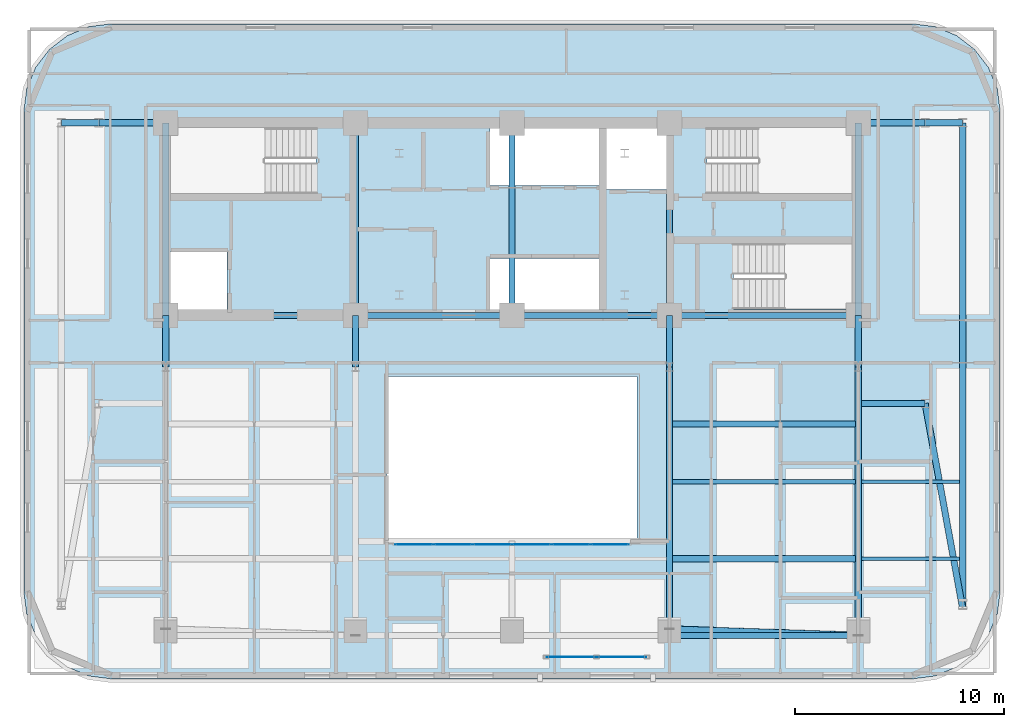
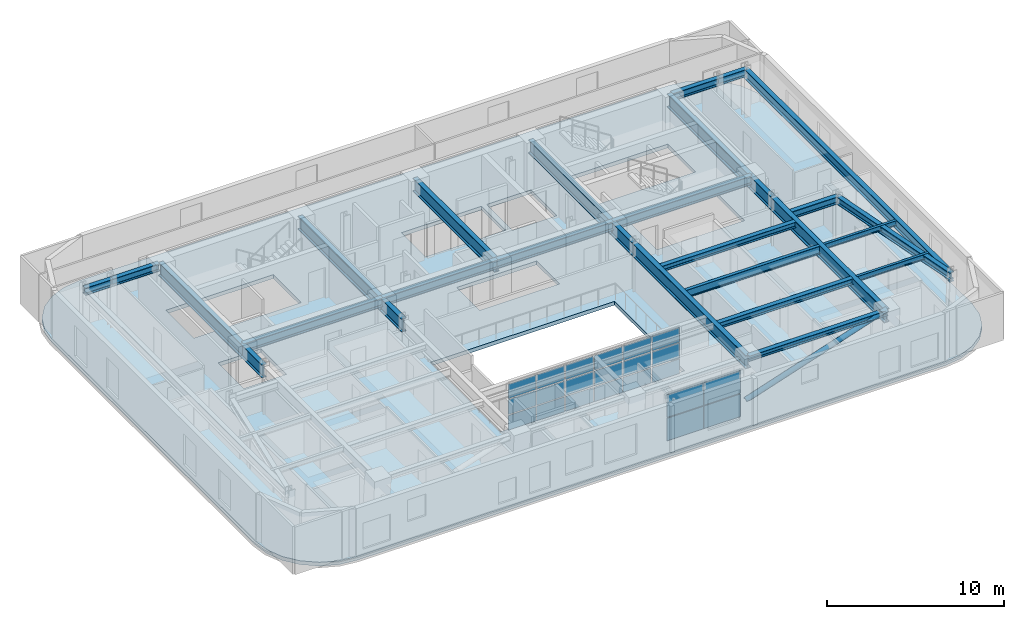
# One storey, part 3 of 13: 28 beams, 22 plates, 1 member, 1 slab, 2 elements without a shape of their own.
"""IFC4 building model written with IfcOpenShell, lengths in metres."""

from ifc_helpers import new_model, si_unit, direction, frame, origin, origin_2d, place, context, subcontext, project, spatial, polyline, rectangle, hollow_circle, i_section, outline, extrude, material, layer, layer_set, material_profile, profile_set, type_object, element, aggregate, save


model = new_model("IFC4")

# Units and contexts
model_context = context("Model", 3, precision=1e-05, world=origin(), true_north=direction((0.0, 1.0)))
body_context = subcontext(model_context, "Body", "Model", "MODEL_VIEW")
ifc_project = project(units=[si_unit("LENGTHUNIT", "METRE"), si_unit("AREAUNIT", "SQUARE_METRE"), si_unit("VOLUMEUNIT", "CUBIC_METRE"), si_unit("PLANEANGLEUNIT", "RADIAN"), si_unit("MASSUNIT", "GRAM", prefix="KILO")], contexts=[model_context])

# Site, building, storey
site_placement = place(None, origin())
site = spatial("IfcSite", under=ifc_project, at=site_placement, CompositionType="ELEMENT")
building_placement = place(site_placement, origin())
building = spatial("IfcBuilding", under=site, at=building_placement, Name="Zarnavel Station Tower", CompositionType="ELEMENT")
storey_placement = place(building_placement, frame((0.0, 0.0, 148.35009765625)))
storey = spatial("IfcBuildingStorey", under=building, at=storey_placement, Name="L40", CompositionType="ELEMENT", Elevation=148.35009765625)

# Member
ifc_material_1 = material(Name="Steel S355J2", Category="steel")
ifc_material_profile_1 = material_profile(ifc_material_1, hollow_circle(Radius=0.161865234375, WallThickness=0.012451171875, at=origin_2d()), Name="CHS323.9x12.5")
ifc_profile_set_1 = profile_set([ifc_material_profile_1], Name="Steel S355J2")
member_type = type_object("IfcMemberType", Name="DB_EXT_CHS324", PredefinedType="BRACE", material=ifc_profile_set_1)
member_placement = place(storey_placement, frame((36.35009765625, 12.784423828125, 0.0), z_axis=(0.93937818641, -0.030942612647, 0.341483788224), x_axis=(0.032921607344, 0.999457936969, 0.0)))
element("IfcMember", 1, at=member_placement, inside=storey, type_object=member_type, Name="L40 Persian Exterior Diagonal Frame Brace 2", PredefinedType="BRACE", context=body_context, shape_type="SweptSolid", body=[
    extrude(hollow_circle(Radius=0.161865234375, WallThickness=0.012451171875, at=origin_2d()), origin(), (0.0, 0.0, 1.0), 9.6337890625),
])

# Beams
ifc_material_2 = material(Name="Steel S355J2", Category="steel")
ifc_material_profile_2 = material_profile(ifc_material_2, i_section(OverallWidth=0.300048828125, OverallDepth=0.360107421875, WebThickness=0.012451171875, FlangeThickness=0.0224609375, FilletRadius=0.027099609375, at=origin_2d()), Name="HEB360")
ifc_profile_set_2 = profile_set([ifc_material_profile_2], Name="Steel S355J2")
beam_type_1 = type_object("IfcBeamType", Name="EB_HEB360", PredefinedType="SPANDREL", material=ifc_profile_set_2)
beam_1_placement = place(storey_placement, frame((36.35009765625, 12.486328125, 3.10986328125), z_axis=(1.0, 0.0, 0.0), x_axis=(0.0, 1.0, 0.0)))
element("IfcBeam", 2, at=beam_1_placement, inside=storey, type_object=beam_type_1, Name="L40 South Raked Spandrel 4", PredefinedType="SPANDREL", context=body_context, shape_type="SweptSolid", body=[
    extrude(i_section(OverallWidth=0.300048828125, OverallDepth=0.360107421875, WebThickness=0.012451171875, FlangeThickness=0.0224609375, FilletRadius=0.027099609375, at=origin_2d()), origin(), (0.0, 0.0, 1.0), 9.0498046875),
])
ifc_material_3 = material(Name="Steel S355J2", Category="steel")
ifc_material_profile_3 = material_profile(ifc_material_3, i_section(OverallWidth=0.300048828125, OverallDepth=0.389892578125, WebThickness=0.010986328125, FlangeThickness=0.01904296875, FilletRadius=0.027099609375, at=origin_2d()), Name="HEA400")
ifc_profile_set_3 = profile_set([ifc_material_profile_3], Name="Steel S355J2")
beam_type_2 = type_object("IfcBeamType", Name="FB_HEA400", PredefinedType="BEAM", material=ifc_profile_set_3)
for number, where, z_axis, x_axis, name in (
    (3, (36.4951171875, 16.164794921875, 3.094970703125), (1.0, 0.0, 0.0), (0.0, 1.0, 0.0), "L40 East Bay Beam 1"),
    (4, (36.4951171875, 22.62158203125, 3.094970703125), (1.0, 0.0, 0.0), (0.0, 1.0, 0.0), "L40 East Bay Beam 3"),
):
    element("IfcBeam", number, at=place(storey_placement, frame(where, z_axis=z_axis, x_axis=x_axis)), inside=storey, type_object=beam_type_2, Name=name, PredefinedType="BEAM", context=body_context, shape_type="SweptSolid", body=[
        extrude(i_section(OverallWidth=0.300048828125, OverallDepth=0.389892578125, WebThickness=0.010986328125, FlangeThickness=0.01904296875, FilletRadius=0.027099609375, at=origin_2d()), origin(), (0.0, 0.0, 1.0), 8.759765625),
    ])
ifc_material_4 = material(Name="Steel S355J2", Category="steel")
ifc_material_profile_4 = material_profile(ifc_material_4, i_section(OverallWidth=0.2099609375, OverallDepth=0.550048828125, WebThickness=0.010986328125, FlangeThickness=0.01708984375, FilletRadius=0.02392578125, at=origin_2d()), Name="IPE550")
ifc_profile_set_4 = profile_set([ifc_material_profile_4], Name="Steel S355J2")
beam_type_3 = type_object("IfcBeamType", Name="FB_IPE550", PredefinedType="BEAM", material=ifc_profile_set_4)
beam_2_placement = place(storey_placement, frame((36.4951171875, 19.84326171875, 3.014892578125), z_axis=(1.0, 0.0, 0.0), x_axis=(0.0, 1.0, 0.0)))
element("IfcBeam", 5, at=beam_2_placement, inside=storey, type_object=beam_type_3, Name="L40 East Bay Beam 2", PredefinedType="BEAM", context=body_context, shape_type="SweptSolid", body=[
    extrude(i_section(OverallWidth=0.2099609375, OverallDepth=0.550048828125, WebThickness=0.010986328125, FlangeThickness=0.01708984375, FilletRadius=0.02392578125, at=origin_2d()), origin(), (0.0, 0.0, 1.0), 8.759765625),
])
ifc_material_5 = material(Name="Steel S355J2", Category="steel")
ifc_material_profile_5 = material_profile(ifc_material_5, i_section(OverallWidth=0.300048828125, OverallDepth=0.5, WebThickness=0.014404296875, FlangeThickness=0.028076171875, FilletRadius=0.027099609375, at=origin_2d()), Name="HEB500")
ifc_profile_set_5 = profile_set([ifc_material_profile_5], Name="Steel S355J2")
beam_type_4 = type_object("IfcBeamType", Name="FG_HEB500", PredefinedType="USERDEFINED", material=ifc_profile_set_5)
beam_3_placement = place(storey_placement, frame((7.199951171875, 37.050048828125, 3.039794921875), z_axis=(1.0, 0.0, 0.0), x_axis=(0.0, 1.0, 0.0)))
element("IfcBeam", 6, at=beam_3_placement, inside=storey, type_object=beam_type_4, Name="L40 West Wing North Tie 1", ObjectType="GIRDER", PredefinedType="USERDEFINED", context=body_context, shape_type="SweptSolid", body=[
    extrude(i_section(OverallWidth=0.300048828125, OverallDepth=0.5, WebThickness=0.014404296875, FlangeThickness=0.028076171875, FilletRadius=0.027099609375, at=origin_2d()), origin(), (0.0, 0.0, 1.0), 1.800048828125),
])
beam_4_placement = place(storey_placement, frame((9.0, 37.050048828125, 3.039794921875), z_axis=(1.0, 0.0, 0.0), x_axis=(0.0, 1.0, 0.0)))
element("IfcBeam", 7, at=beam_4_placement, inside=storey, type_object=beam_type_4, Name="L40 West Wing North Tie 2", ObjectType="GIRDER", PredefinedType="USERDEFINED", context=body_context, shape_type="SweptSolid", body=[
    extrude(i_section(OverallWidth=0.300048828125, OverallDepth=0.5, WebThickness=0.014404296875, FlangeThickness=0.028076171875, FilletRadius=0.027099609375, at=origin_2d()), origin(), (0.0, 0.0, 1.0), 3.054931640625),
])
for number, where, z_axis, x_axis, name in (
    (8, (45.544921875, 23.60009765625, 3.039794921875), (1.0, 0.0, 0.0), (0.0, 1.0, 0.0), "L40 East Wing South Tie 1"),
    (9, (45.544921875, 37.050048828125, 3.039794921875), (1.0, 0.0, 0.0), (0.0, 1.0, 0.0), "L40 East Wing North Tie 1"),
):
    element("IfcBeam", number, at=place(storey_placement, frame(where, z_axis=z_axis, x_axis=x_axis)), inside=storey, type_object=beam_type_4, Name=name, ObjectType="GIRDER", PredefinedType="USERDEFINED", context=body_context, shape_type="SweptSolid", body=[
        extrude(i_section(OverallWidth=0.300048828125, OverallDepth=0.5, WebThickness=0.014404296875, FlangeThickness=0.028076171875, FilletRadius=0.027099609375, at=origin_2d()), origin(), (0.0, 0.0, 1.0), 3.05517578125),
    ])
beam_5_placement = place(storey_placement, frame((48.60009765625, 23.60009765625, 3.039794921875), z_axis=(0.18010646721, -0.983647121924, 0.0), x_axis=(0.983647121924, 0.18010646721, 0.0)))
element("IfcBeam", 10, at=beam_5_placement, inside=storey, type_object=beam_type_4, Name="L40 East Wing South Tie 2", ObjectType="GIRDER", PredefinedType="USERDEFINED", context=body_context, shape_type="SweptSolid", body=[
    extrude(i_section(OverallWidth=0.300048828125, OverallDepth=0.5, WebThickness=0.014404296875, FlangeThickness=0.028076171875, FilletRadius=0.027099609375, at=origin_2d()), origin(), (0.0, 0.0, 1.0), 9.992919921875),
])
beam_6_placement = place(storey_placement, frame((48.60009765625, 37.050048828125, 3.039794921875), z_axis=(1.0, 0.0, 0.0), x_axis=(0.0, 1.0, 0.0)))
element("IfcBeam", 11, at=beam_6_placement, inside=storey, type_object=beam_type_4, Name="L40 East Wing North Tie 2", ObjectType="GIRDER", PredefinedType="USERDEFINED", context=body_context, shape_type="SweptSolid", body=[
    extrude(i_section(OverallWidth=0.300048828125, OverallDepth=0.5, WebThickness=0.014404296875, FlangeThickness=0.028076171875, FilletRadius=0.027099609375, at=origin_2d()), origin(), (0.0, 0.0, 1.0), 1.7998046875),
])
ifc_material_6 = material(Name="Steel S355J2", Category="steel")
ifc_material_profile_6 = material_profile(ifc_material_6, i_section(OverallWidth=0.300048828125, OverallDepth=0.60009765625, WebThickness=0.015380859375, FlangeThickness=0.030029296875, FilletRadius=0.027099609375, at=origin_2d()), Name="HEB600")
ifc_profile_set_6 = profile_set([ifc_material_profile_6], Name="Steel S355J2")
beam_type_5 = type_object("IfcBeamType", Name="FG_HEB600", PredefinedType="USERDEFINED", material=ifc_profile_set_6)
beam_7_placement = place(storey_placement, frame((12.199951171875, 27.820068359375, 2.989990234375), z_axis=(1.0, 0.0, 0.0), x_axis=(0.0, 1.0, 0.0)))
element("IfcBeam", 12, at=beam_7_placement, inside=storey, type_object=beam_type_5, Name="L40 Core Front Coupling Beam 1", ObjectType="GIRDER", PredefinedType="USERDEFINED", context=body_context, shape_type="SweptSolid", body=[
    extrude(i_section(OverallWidth=0.300048828125, OverallDepth=0.60009765625, WebThickness=0.015380859375, FlangeThickness=0.030029296875, FilletRadius=0.027099609375, at=origin_2d()), origin(), (0.0, 0.0, 1.0), 9.10009765625),
])
beam_8_placement = place(storey_placement, frame((21.300048828125, 27.820068359375, 2.989990234375), z_axis=(1.0, 0.0, 0.0), x_axis=(0.0, 1.0, 0.0)))
element("IfcBeam", 13, at=beam_8_placement, inside=storey, type_object=beam_type_5, Name="L40 Core Front Coupling Beam 2", ObjectType="GIRDER", PredefinedType="USERDEFINED", context=body_context, shape_type="SweptSolid", body=[
    extrude(i_section(OverallWidth=0.300048828125, OverallDepth=0.60009765625, WebThickness=0.015380859375, FlangeThickness=0.030029296875, FilletRadius=0.027099609375, at=origin_2d()), origin(), (0.0, 0.0, 1.0), 7.5),
])
beam_9_placement = place(storey_placement, frame((28.800048828125, 27.820068359375, 2.989990234375), z_axis=(1.0, 0.0, 0.0), x_axis=(0.0, 1.0, 0.0)))
element("IfcBeam", 14, at=beam_9_placement, inside=storey, type_object=beam_type_5, Name="L40 Core Front Coupling Beam 3", ObjectType="GIRDER", PredefinedType="USERDEFINED", context=body_context, shape_type="SweptSolid", body=[
    extrude(i_section(OverallWidth=0.300048828125, OverallDepth=0.60009765625, WebThickness=0.015380859375, FlangeThickness=0.030029296875, FilletRadius=0.027099609375, at=origin_2d()), origin(), (0.0, 0.0, 1.0), 7.550048828125),
])
beam_10_placement = place(storey_placement, frame((36.35009765625, 27.820068359375, 2.989990234375), z_axis=(1.0, 0.0, 0.0), x_axis=(0.0, 1.0, 0.0)))
element("IfcBeam", 15, at=beam_10_placement, inside=storey, type_object=beam_type_5, Name="L40 Core Front Coupling Beam 4", ObjectType="GIRDER", PredefinedType="USERDEFINED", context=body_context, shape_type="SweptSolid", body=[
    extrude(i_section(OverallWidth=0.300048828125, OverallDepth=0.60009765625, WebThickness=0.015380859375, FlangeThickness=0.030029296875, FilletRadius=0.027099609375, at=origin_2d()), origin(), (0.0, 0.0, 1.0), 9.0498046875),
])
ifc_material_7 = material(Name="Steel S355J2", Category="steel")
ifc_material_profile_7 = material_profile(ifc_material_7, i_section(OverallWidth=0.300048828125, OverallDepth=0.64990234375, WebThickness=0.01611328125, FlangeThickness=0.031005859375, FilletRadius=0.027099609375, at=origin_2d()), Name="HEB650")
ifc_profile_set_7 = profile_set([ifc_material_profile_7], Name="Steel S355J2")
beam_type_6 = type_object("IfcBeamType", Name="FG_HEB650", PredefinedType="USERDEFINED", material=ifc_profile_set_7)
beam_11_placement = place(storey_placement, frame((50.39990234375, 13.7705078125, 2.96484375), z_axis=(0.0, 1.0, 0.0), x_axis=(-1.0, 0.0, 0.0)))
element("IfcBeam", 16, at=beam_11_placement, inside=storey, type_object=beam_type_6, Name="L40 Wing NS Girder 2", ObjectType="GIRDER", PredefinedType="USERDEFINED", context=body_context, shape_type="SweptSolid", body=[
    extrude(i_section(OverallWidth=0.300048828125, OverallDepth=0.64990234375, WebThickness=0.01611328125, FlangeThickness=0.031005859375, FilletRadius=0.027099609375, at=origin_2d()), origin(), (0.0, 0.0, 1.0), 23.279541015625),
])
ifc_material_8 = material(Name="Steel S355J2", Category="steel")
ifc_material_profile_8 = material_profile(ifc_material_8, i_section(OverallWidth=0.169921875, OverallDepth=0.360107421875, WebThickness=0.008056640625, FlangeThickness=0.0126953125, FilletRadius=0.01806640625, at=origin_2d()), Name="IPE360")
ifc_profile_set_8 = profile_set([ifc_material_profile_8], Name="Steel S355J2")
beam_type_7 = type_object("IfcBeamType", Name="FJ_IPE360", PredefinedType="JOIST", material=ifc_profile_set_8)
for number, where, z_axis, x_axis, name in (
    (17, (45.544921875, 16.164794921875, 3.10986328125), (1.0, 0.0, 0.0), (0.0, 1.0, 0.0), "L40 East Wing Joist 1"),
    (18, (45.544921875, 19.84326171875, 3.10986328125), (1.0, 0.0, 0.0), (0.0, 1.0, 0.0), "L40 East Wing Joist 2"),
):
    element("IfcBeam", number, at=place(storey_placement, frame(where, z_axis=z_axis, x_axis=x_axis)), inside=storey, type_object=beam_type_7, Name=name, PredefinedType="JOIST", context=body_context, shape_type="SweptSolid", body=[
        extrude(i_section(OverallWidth=0.169921875, OverallDepth=0.360107421875, WebThickness=0.008056640625, FlangeThickness=0.0126953125, FilletRadius=0.01806640625, at=origin_2d()), origin(), (0.0, 0.0, 1.0), 4.7099609375),
    ])
ifc_material_9 = material(Name="Steel S460M", Category="steel")
ifc_material_profile_9 = material_profile(ifc_material_9, i_section(OverallWidth=0.302001953125, OverallDepth=0.909912109375, WebThickness=0.02099609375, FlangeThickness=0.0400390625, FilletRadius=0.030029296875, at=origin_2d()), Name="HEM900")
ifc_profile_set_9 = profile_set([ifc_material_profile_9], Name="Steel S460M")
beam_type_8 = type_object("IfcBeamType", Name="TG_HEM900", PredefinedType="USERDEFINED", material=ifc_profile_set_9)
for number, where, z_axis, x_axis, name in (
    (19, (12.199951171875, 27.820068359375, 2.8349609375), (0.0, 1.0, 0.0), (-1.0, 0.0, 0.0), "L40 Core Spine Coupling Girder 1"),
    (20, (21.300048828125, 27.820068359375, 2.8349609375), (0.0, 1.0, 0.0), (-1.0, 0.0, 0.0), "L40 Core Spine Coupling Girder 2"),
    (21, (28.800048828125, 27.820068359375, 2.8349609375), (0.0, 1.0, 0.0), (-1.0, 0.0, 0.0), "L40 Core Spine Coupling Girder 3"),
    (22, (36.35009765625, 27.820068359375, 2.8349609375), (0.0, 1.0, 0.0), (-1.0, 0.0, 0.0), "L40 Core Spine Coupling Girder 4"),
    (23, (45.39990234375, 27.820068359375, 2.8349609375), (0.0, 1.0, 0.0), (-1.0, 0.0, 0.0), "L40 Core Spine Coupling Girder 5"),
):
    element("IfcBeam", number, at=place(storey_placement, frame(where, z_axis=z_axis, x_axis=x_axis)), inside=storey, type_object=beam_type_8, Name=name, ObjectType="GIRDER", PredefinedType="USERDEFINED", context=body_context, shape_type="SweptSolid", body=[
        extrude(i_section(OverallWidth=0.302001953125, OverallDepth=0.909912109375, WebThickness=0.02099609375, FlangeThickness=0.0400390625, FilletRadius=0.030029296875, at=origin_2d()), origin(), (0.0, 0.0, 1.0), 9.22998046875),
    ])
for number, where, z_axis, x_axis, name in (
    (24, (12.199951171875, 25.35009765625, 2.8349609375), (0.0, 1.0, 0.0), (-1.0, 0.0, 0.0), "L40 Inner-Zone NS Girder 1"),
    (25, (21.300048828125, 25.35009765625, 2.8349609375), (0.0, 1.0, 0.0), (-1.0, 0.0, 0.0), "L40 Inner-Zone NS Girder 2"),
):
    element("IfcBeam", number, at=place(storey_placement, frame(where, z_axis=z_axis, x_axis=x_axis)), inside=storey, type_object=beam_type_8, Name=name, ObjectType="GIRDER", PredefinedType="USERDEFINED", context=body_context, shape_type="SweptSolid", body=[
        extrude(i_section(OverallWidth=0.302001953125, OverallDepth=0.909912109375, WebThickness=0.02099609375, FlangeThickness=0.0400390625, FilletRadius=0.030029296875, at=origin_2d()), origin(), (0.0, 0.0, 1.0), 2.469970703125),
    ])
beam_12_placement = place(storey_placement, frame((36.35009765625, 12.486328125, 2.8349609375), z_axis=(0.0, 1.0, 0.0), x_axis=(-1.0, 0.0, 0.0)))
element("IfcBeam", 26, at=beam_12_placement, inside=storey, type_object=beam_type_8, Name="L40 South-Zone NS Girder 4", ObjectType="GIRDER", PredefinedType="USERDEFINED", context=body_context, shape_type="SweptSolid", body=[
    extrude(i_section(OverallWidth=0.302001953125, OverallDepth=0.909912109375, WebThickness=0.02099609375, FlangeThickness=0.0400390625, FilletRadius=0.030029296875, at=origin_2d()), origin(), (0.0, 0.0, 1.0), 12.86376953125),
])
beam_13_placement = place(storey_placement, frame((36.35009765625, 25.35009765625, 2.8349609375), z_axis=(0.0, 1.0, 0.0), x_axis=(-1.0, 0.0, 0.0)))
element("IfcBeam", 27, at=beam_13_placement, inside=storey, type_object=beam_type_8, Name="L40 Inner-Zone NS Girder 4", ObjectType="GIRDER", PredefinedType="USERDEFINED", context=body_context, shape_type="SweptSolid", body=[
    extrude(i_section(OverallWidth=0.302001953125, OverallDepth=0.909912109375, WebThickness=0.02099609375, FlangeThickness=0.0400390625, FilletRadius=0.030029296875, at=origin_2d()), origin(), (0.0, 0.0, 1.0), 2.469970703125),
])
beam_14_placement = place(storey_placement, frame((45.39990234375, 12.486328125, 2.8349609375), z_axis=(0.0, 1.0, 0.0), x_axis=(-1.0, 0.0, 0.0)))
element("IfcBeam", 28, at=beam_14_placement, inside=storey, type_object=beam_type_8, Name="L40 South-Zone NS Girder 5", ObjectType="GIRDER", PredefinedType="USERDEFINED", context=body_context, shape_type="SweptSolid", body=[
    extrude(i_section(OverallWidth=0.302001953125, OverallDepth=0.909912109375, WebThickness=0.02099609375, FlangeThickness=0.0400390625, FilletRadius=0.030029296875, at=origin_2d()), origin(), (0.0, 0.0, 1.0), 12.86376953125),
])
beam_15_placement = place(storey_placement, frame((45.39990234375, 25.35009765625, 2.8349609375), z_axis=(0.0, 1.0, 0.0), x_axis=(-1.0, 0.0, 0.0)))
element("IfcBeam", 29, at=beam_15_placement, inside=storey, type_object=beam_type_8, Name="L40 Inner-Zone NS Girder 5", ObjectType="GIRDER", PredefinedType="USERDEFINED", context=body_context, shape_type="SweptSolid", body=[
    extrude(i_section(OverallWidth=0.302001953125, OverallDepth=0.909912109375, WebThickness=0.02099609375, FlangeThickness=0.0400390625, FilletRadius=0.030029296875, at=origin_2d()), origin(), (0.0, 0.0, 1.0), 2.469970703125),
])

# Curtain wall, plates
ifc_material_10 = material(Name="Aluminium Dark Anodised and Solar-Control Glass", Category="aluminium")
ifc_layer_1 = layer(ifc_material_10, 0.179931640625)
ifc_layer_set_1 = layer_set([ifc_layer_1], Name="CWS4")
curtain_wall_type_1 = type_object("IfcCurtainWallType", Name="CWS4", PredefinedType="NOTDEFINED", material=ifc_layer_set_1)
curtain_wall_1_placement = place(storey_placement, origin())
curtain_wall_1 = element("IfcCurtainWall", 30, at=curtain_wall_1_placement, inside=storey, type_object=curtain_wall_type_1, Name="L40 Curtain Wall CWS4-L40-AS", PredefinedType="NOTDEFINED")
ifc_material_11 = material(Name="Double Low-E Dark Solar-Control Glass", Category="glass")
ifc_layer_2 = layer(ifc_material_11, 0.031982421875)
ifc_layer_set_2 = layer_set([ifc_layer_2], Name="CWS4_PNL")
plate_type_1 = type_object("IfcPlateType", Name="CWS4_PNL", PredefinedType="CURTAIN_PANEL", material=ifc_layer_set_2)
plate_1_placement = place(storey_placement, frame((24.106689453125, 16.85009765625, 0.06005859375), z_axis=(0.0, 0.0, 1.0), x_axis=(1.0, 0.0, 0.0)))
plate_1 = element("IfcPlate", 31, at=plate_1_placement, type_object=plate_type_1, Name="CW4 panel 1.1", PredefinedType="CURTAIN_PANEL", context=body_context, shape_type="SweptSolid", body=[
    extrude(rectangle(XDim=1.793212890625, YDim=0.028076171875, at=origin_2d()), origin(), (0.0, 0.0, 1.0), 1.006591796875),
])
plate_2_placement = place(storey_placement, frame((24.106689453125, 16.85009765625, 1.126708984375), z_axis=(0.0, 0.0, 1.0), x_axis=(1.0, 0.0, 0.0)))
plate_2 = element("IfcPlate", 32, at=plate_2_placement, type_object=plate_type_1, Name="CW4 panel 1.2", PredefinedType="CURTAIN_PANEL", context=body_context, shape_type="SweptSolid", body=[
    extrude(rectangle(XDim=1.793212890625, YDim=0.028076171875, at=origin_2d()), origin(), (0.0, 0.0, 1.0), 1.03662109375),
])
plate_3_placement = place(storey_placement, frame((24.106689453125, 16.85009765625, 2.22314453125), z_axis=(0.0, 0.0, 1.0), x_axis=(1.0, 0.0, 0.0)))
plate_3 = element("IfcPlate", 33, at=plate_3_placement, type_object=plate_type_1, Name="CW4 panel 1.3", PredefinedType="CURTAIN_PANEL", context=body_context, shape_type="SweptSolid", body=[
    extrude(rectangle(XDim=1.793212890625, YDim=0.028076171875, at=origin_2d()), origin(), (0.0, 0.0, 1.0), 1.006591796875),
])
plate_4_placement = place(storey_placement, frame((25.97509765625, 16.85009765625, 0.06005859375), z_axis=(0.0, 0.0, 1.0), x_axis=(1.0, 0.0, 0.0)))
plate_4 = element("IfcPlate", 34, at=plate_4_placement, type_object=plate_type_1, Name="CW4 panel 2.1", PredefinedType="CURTAIN_PANEL", context=body_context, shape_type="SweptSolid", body=[
    extrude(rectangle(XDim=1.8232421875, YDim=0.028076171875, at=origin_2d()), origin(), (0.0, 0.0, 1.0), 1.006591796875),
])
plate_5_placement = place(storey_placement, frame((25.97509765625, 16.85009765625, 1.126708984375), z_axis=(0.0, 0.0, 1.0), x_axis=(1.0, 0.0, 0.0)))
plate_5 = element("IfcPlate", 35, at=plate_5_placement, type_object=plate_type_1, Name="CW4 panel 2.2", PredefinedType="CURTAIN_PANEL", context=body_context, shape_type="SweptSolid", body=[
    extrude(rectangle(XDim=1.8232421875, YDim=0.028076171875, at=origin_2d()), origin(), (0.0, 0.0, 1.0), 1.03662109375),
])
plate_6_placement = place(storey_placement, frame((25.97509765625, 16.85009765625, 2.22314453125), z_axis=(0.0, 0.0, 1.0), x_axis=(1.0, 0.0, 0.0)))
plate_6 = element("IfcPlate", 36, at=plate_6_placement, type_object=plate_type_1, Name="CW4 panel 2.3", PredefinedType="CURTAIN_PANEL", context=body_context, shape_type="SweptSolid", body=[
    extrude(rectangle(XDim=1.8232421875, YDim=0.028076171875, at=origin_2d()), origin(), (0.0, 0.0, 1.0), 1.006591796875),
])
plate_7_placement = place(storey_placement, frame((27.8583984375, 16.85009765625, 0.06005859375), z_axis=(0.0, 0.0, 1.0), x_axis=(1.0, 0.0, 0.0)))
plate_7 = element("IfcPlate", 37, at=plate_7_placement, type_object=plate_type_1, Name="CW4 panel 3.1", PredefinedType="CURTAIN_PANEL", context=body_context, shape_type="SweptSolid", body=[
    extrude(rectangle(XDim=1.8232421875, YDim=0.028076171875, at=origin_2d()), origin(), (0.0, 0.0, 1.0), 1.006591796875),
])
plate_8_placement = place(storey_placement, frame((27.8583984375, 16.85009765625, 1.126708984375), z_axis=(0.0, 0.0, 1.0), x_axis=(1.0, 0.0, 0.0)))
plate_8 = element("IfcPlate", 38, at=plate_8_placement, type_object=plate_type_1, Name="CW4 panel 3.2", PredefinedType="CURTAIN_PANEL", context=body_context, shape_type="SweptSolid", body=[
    extrude(rectangle(XDim=1.8232421875, YDim=0.028076171875, at=origin_2d()), origin(), (0.0, 0.0, 1.0), 1.03662109375),
])
plate_9_placement = place(storey_placement, frame((27.8583984375, 16.85009765625, 2.22314453125), z_axis=(0.0, 0.0, 1.0), x_axis=(1.0, 0.0, 0.0)))
plate_9 = element("IfcPlate", 39, at=plate_9_placement, type_object=plate_type_1, Name="CW4 panel 3.3", PredefinedType="CURTAIN_PANEL", context=body_context, shape_type="SweptSolid", body=[
    extrude(rectangle(XDim=1.8232421875, YDim=0.028076171875, at=origin_2d()), origin(), (0.0, 0.0, 1.0), 1.006591796875),
])
plate_10_placement = place(storey_placement, frame((29.74169921875, 16.85009765625, 0.06005859375), z_axis=(0.0, 0.0, 1.0), x_axis=(1.0, 0.0, 0.0)))
plate_10 = element("IfcPlate", 40, at=plate_10_placement, type_object=plate_type_1, Name="CW4 panel 4.1", PredefinedType="CURTAIN_PANEL", context=body_context, shape_type="SweptSolid", body=[
    extrude(rectangle(XDim=1.8232421875, YDim=0.028076171875, at=origin_2d()), origin(), (0.0, 0.0, 1.0), 1.006591796875),
])
plate_11_placement = place(storey_placement, frame((29.74169921875, 16.85009765625, 1.126708984375), z_axis=(0.0, 0.0, 1.0), x_axis=(1.0, 0.0, 0.0)))
plate_11 = element("IfcPlate", 41, at=plate_11_placement, type_object=plate_type_1, Name="CW4 panel 4.2", PredefinedType="CURTAIN_PANEL", context=body_context, shape_type="SweptSolid", body=[
    extrude(rectangle(XDim=1.8232421875, YDim=0.028076171875, at=origin_2d()), origin(), (0.0, 0.0, 1.0), 1.03662109375),
])
plate_12_placement = place(storey_placement, frame((29.74169921875, 16.85009765625, 2.22314453125), z_axis=(0.0, 0.0, 1.0), x_axis=(1.0, 0.0, 0.0)))
plate_12 = element("IfcPlate", 42, at=plate_12_placement, type_object=plate_type_1, Name="CW4 panel 4.3", PredefinedType="CURTAIN_PANEL", context=body_context, shape_type="SweptSolid", body=[
    extrude(rectangle(XDim=1.8232421875, YDim=0.028076171875, at=origin_2d()), origin(), (0.0, 0.0, 1.0), 1.006591796875),
])
plate_13_placement = place(storey_placement, frame((31.625, 16.85009765625, 0.06005859375), z_axis=(0.0, 0.0, 1.0), x_axis=(1.0, 0.0, 0.0)))
plate_13 = element("IfcPlate", 43, at=plate_13_placement, type_object=plate_type_1, Name="CW4 panel 5.1", PredefinedType="CURTAIN_PANEL", context=body_context, shape_type="SweptSolid", body=[
    extrude(rectangle(XDim=1.8232421875, YDim=0.028076171875, at=origin_2d()), origin(), (0.0, 0.0, 1.0), 1.006591796875),
])
plate_14_placement = place(storey_placement, frame((31.625, 16.85009765625, 1.126708984375), z_axis=(0.0, 0.0, 1.0), x_axis=(1.0, 0.0, 0.0)))
plate_14 = element("IfcPlate", 44, at=plate_14_placement, type_object=plate_type_1, Name="CW4 panel 5.2", PredefinedType="CURTAIN_PANEL", context=body_context, shape_type="SweptSolid", body=[
    extrude(rectangle(XDim=1.8232421875, YDim=0.028076171875, at=origin_2d()), origin(), (0.0, 0.0, 1.0), 1.03662109375),
])
plate_15_placement = place(storey_placement, frame((31.625, 16.85009765625, 2.22314453125), z_axis=(0.0, 0.0, 1.0), x_axis=(1.0, 0.0, 0.0)))
plate_15 = element("IfcPlate", 45, at=plate_15_placement, type_object=plate_type_1, Name="CW4 panel 5.3", PredefinedType="CURTAIN_PANEL", context=body_context, shape_type="SweptSolid", body=[
    extrude(rectangle(XDim=1.8232421875, YDim=0.028076171875, at=origin_2d()), origin(), (0.0, 0.0, 1.0), 1.006591796875),
])
plate_16_placement = place(storey_placement, frame((33.493408203125, 16.85009765625, 0.06005859375), z_axis=(0.0, 0.0, 1.0), x_axis=(1.0, 0.0, 0.0)))
plate_16 = element("IfcPlate", 46, at=plate_16_placement, type_object=plate_type_1, Name="CW4 panel 6.1", PredefinedType="CURTAIN_PANEL", context=body_context, shape_type="SweptSolid", body=[
    extrude(rectangle(XDim=1.793212890625, YDim=0.028076171875, at=origin_2d()), origin(), (0.0, 0.0, 1.0), 1.006591796875),
])
plate_17_placement = place(storey_placement, frame((33.493408203125, 16.85009765625, 1.126708984375), z_axis=(0.0, 0.0, 1.0), x_axis=(1.0, 0.0, 0.0)))
plate_17 = element("IfcPlate", 47, at=plate_17_placement, type_object=plate_type_1, Name="CW4 panel 6.2", PredefinedType="CURTAIN_PANEL", context=body_context, shape_type="SweptSolid", body=[
    extrude(rectangle(XDim=1.793212890625, YDim=0.028076171875, at=origin_2d()), origin(), (0.0, 0.0, 1.0), 1.03662109375),
])
plate_18_placement = place(storey_placement, frame((33.493408203125, 16.85009765625, 2.22314453125), z_axis=(0.0, 0.0, 1.0), x_axis=(1.0, 0.0, 0.0)))
plate_18 = element("IfcPlate", 48, at=plate_18_placement, type_object=plate_type_1, Name="CW4 panel 6.3", PredefinedType="CURTAIN_PANEL", context=body_context, shape_type="SweptSolid", body=[
    extrude(rectangle(XDim=1.793212890625, YDim=0.028076171875, at=origin_2d()), origin(), (0.0, 0.0, 1.0), 1.006591796875),
])
aggregate(curtain_wall_1, [plate_1, plate_2, plate_3, plate_4, plate_5, plate_6, plate_7, plate_8, plate_9, plate_10, plate_11, plate_12, plate_13, plate_14, plate_15, plate_16, plate_17, plate_18])

ifc_material_12 = material(Name="Aluminium Dark Anodised and Solar-Control Glass", Category="aluminium")
ifc_layer_3 = layer(ifc_material_12, 0.179931640625)
ifc_layer_set_3 = layer_set([ifc_layer_3], Name="CWS6")
curtain_wall_type_2 = type_object("IfcCurtainWallType", Name="CWS6", PredefinedType="NOTDEFINED", material=ifc_layer_set_3)
curtain_wall_2_placement = place(storey_placement, origin())
curtain_wall_2 = element("IfcCurtainWall", 49, at=curtain_wall_2_placement, inside=storey, type_object=curtain_wall_type_2, Name="L40 Curtain Wall CWS6-LOG-L40", PredefinedType="NOTDEFINED")
ifc_material_13 = material(Name="Double Low-E Dark Solar-Control Glass", Category="glass")
ifc_layer_4 = layer(ifc_material_13, 0.0380859375)
ifc_layer_set_4 = layer_set([ifc_layer_4], Name="CWS6_PNL")
plate_type_2 = type_object("IfcPlateType", Name="CWS6_PNL", PredefinedType="CURTAIN_PANEL", material=ifc_layer_set_4)
plate_19_placement = place(storey_placement, frame((31.639892578125, 11.449951171875, 0.06005859375), z_axis=(0.0, 0.0, 1.0), x_axis=(1.0, 0.0, 0.0)))
plate_19 = element("IfcPlate", 50, at=plate_19_placement, type_object=plate_type_2, Name="CW6 panel 1.1", PredefinedType="CURTAIN_PANEL", context=body_context, shape_type="SweptSolid", body=[
    extrude(rectangle(XDim=2.360107421875, YDim=0.028076171875, at=origin_2d()), origin(), (0.0, 0.0, 1.0), 1.554931640625),
])
plate_20_placement = place(storey_placement, frame((31.639892578125, 11.449951171875, 1.6748046875), z_axis=(0.0, 0.0, 1.0), x_axis=(1.0, 0.0, 0.0)))
plate_20 = element("IfcPlate", 51, at=plate_20_placement, type_object=plate_type_2, Name="CW6 panel 1.2", PredefinedType="CURTAIN_PANEL", context=body_context, shape_type="SweptSolid", body=[
    extrude(rectangle(XDim=2.360107421875, YDim=0.028076171875, at=origin_2d()), origin(), (0.0, 0.0, 1.0), 1.554931640625),
])
plate_21_placement = place(storey_placement, frame((34.06005859375, 11.449951171875, 0.06005859375), z_axis=(0.0, 0.0, 1.0), x_axis=(1.0, 0.0, 0.0)))
plate_21 = element("IfcPlate", 52, at=plate_21_placement, type_object=plate_type_2, Name="CW6 panel 2.1", PredefinedType="CURTAIN_PANEL", context=body_context, shape_type="SweptSolid", body=[
    extrude(rectangle(XDim=2.360107421875, YDim=0.028076171875, at=origin_2d()), origin(), (0.0, 0.0, 1.0), 1.554931640625),
])
plate_22_placement = place(storey_placement, frame((34.06005859375, 11.449951171875, 1.6748046875), z_axis=(0.0, 0.0, 1.0), x_axis=(1.0, 0.0, 0.0)))
plate_22 = element("IfcPlate", 53, at=plate_22_placement, type_object=plate_type_2, Name="CW6 panel 2.2", PredefinedType="CURTAIN_PANEL", context=body_context, shape_type="SweptSolid", body=[
    extrude(rectangle(XDim=2.360107421875, YDim=0.028076171875, at=origin_2d()), origin(), (0.0, 0.0, 1.0), 1.554931640625),
])
aggregate(curtain_wall_2, [plate_19, plate_20, plate_21, plate_22])

# Slab
ifc_material_14 = material(Name="Concrete C45/55", Category="concrete")
ifc_layer_5 = layer(ifc_material_14, 0.260009765625)
ifc_layer_set_5 = layer_set([ifc_layer_5], Name="SL_FLR_260")
slab_type = type_object("IfcSlabType", Name="SL_FLR_260", PredefinedType="FLOOR", material=ifc_layer_set_5)
slab_placement = place(storey_placement, frame((0.0, 0.0, -0.260009765625)))
element("IfcSlab", 54, at=slab_placement, inside=storey, type_object=slab_type, Name="L40 Structural Floor Slab", PredefinedType="FLOOR", context=body_context, shape_type="SweptSolid", body=[
    extrude(outline(polyline([(48.0, 10.39990234375), (49.0869140625, 10.543212890625), (50.10009765625, 10.962646484375), (50.9697265625, 11.630126953125), (51.63720703125, 12.5), (52.056884765625, 13.512939453125), (52.199951171875, 14.60009765625), (52.199951171875, 37.60009765625), (52.056884765625, 38.68701171875), (51.63720703125, 39.699951171875), (50.9697265625, 40.56982421875), (50.10009765625, 41.2373046875), (49.0869140625, 41.656982421875), (48.0, 41.800048828125), (9.60009765625, 41.800048828125), (8.512939453125, 41.656982421875), (7.5, 41.2373046875), (6.630126953125, 40.56982421875), (5.962646484375, 39.699951171875), (5.543212890625, 38.68701171875), (5.39990234375, 37.60009765625), (5.39990234375, 14.60009765625), (5.543212890625, 13.512939453125), (5.962646484375, 12.5), (6.630126953125, 11.630126953125), (7.5, 10.962646484375), (8.512939453125, 10.543212890625), (9.60009765625, 10.39990234375), (48.0, 10.39990234375)]), holes=[polyline([(12.39990234375, 33.659912109375), (19.409912109375, 33.659912109375), (19.409912109375, 36.820068359375), (12.39990234375, 36.820068359375), (12.39990234375, 33.659912109375)]), polyline([(38.14990234375, 33.659912109375), (45.159912109375, 33.659912109375), (45.159912109375, 36.820068359375), (38.14990234375, 36.820068359375), (38.14990234375, 33.659912109375)]), polyline([(39.419921875, 28.1201171875), (45.14990234375, 28.1201171875), (45.14990234375, 31.280029296875), (39.419921875, 31.280029296875), (39.419921875, 28.1201171875)]), polyline([(12.35009765625, 27.949951171875), (15.14990234375, 27.949951171875), (15.14990234375, 30.85009765625), (12.35009765625, 30.85009765625), (12.35009765625, 27.949951171875)]), polyline([(33.320068359375, 33.85009765625), (36.2099609375, 33.85009765625), (36.2099609375, 36.780029296875), (33.320068359375, 36.780029296875), (33.320068359375, 33.85009765625)]), polyline([(27.75, 34.050048828125), (32.97998046875, 34.050048828125), (32.97998046875, 36.780029296875), (27.75, 36.780029296875), (27.75, 34.050048828125)]), polyline([(27.75, 27.949951171875), (32.97998046875, 27.949951171875), (32.97998046875, 30.550048828125), (27.75, 30.550048828125), (27.75, 27.949951171875)]), polyline([(22.800048828125, 17.0), (34.800048828125, 17.0), (34.800048828125, 24.89990234375), (22.800048828125, 24.89990234375), (22.800048828125, 17.0)])]), origin(), (0.0, 0.0, 1.0), 0.260009765625),
])

save(model, "model.ifc")
